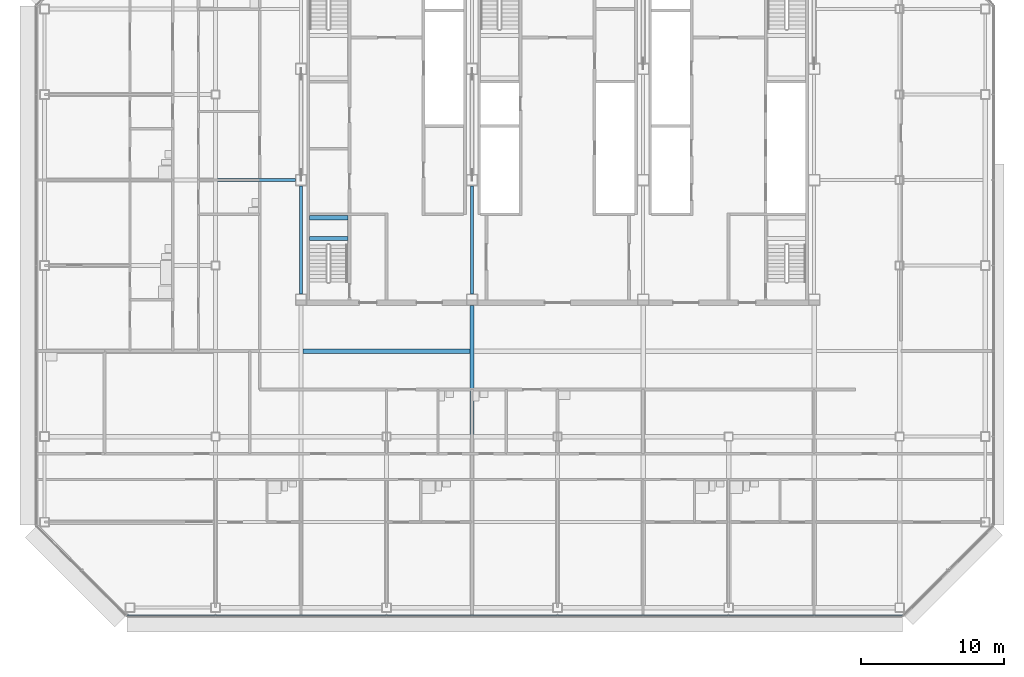
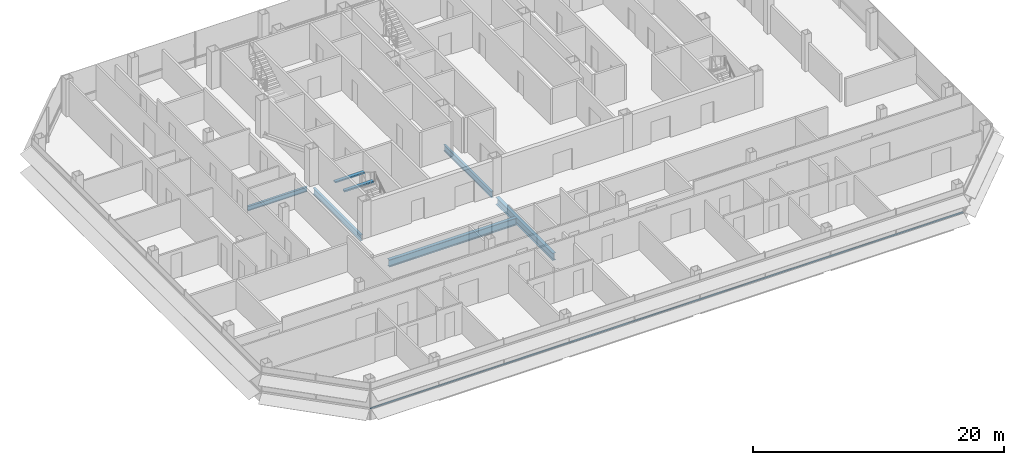
# One storey, part 7 of 27: 7 beams, 1 member, 1 element without a shape of its own.
"""IFC4 building model written with IfcOpenShell, lengths in metres."""

from ifc_helpers import new_model, si_unit, direction, frame, origin, origin_2d, place, context, subcontext, project, spatial, rectangle, i_section, extrude, material, material_profile, profile_set, type_object, element, aggregate, save


model = new_model("IFC4")

# Units and contexts
model_context = context("Model", 3, precision=1e-05, world=origin(), true_north=direction((0.0, 1.0)))
body_context = subcontext(model_context, "Body", "Model", "MODEL_VIEW")
ifc_project = project(units=[si_unit("LENGTHUNIT", "METRE"), si_unit("AREAUNIT", "SQUARE_METRE"), si_unit("VOLUMEUNIT", "CUBIC_METRE"), si_unit("PLANEANGLEUNIT", "RADIAN"), si_unit("MASSUNIT", "GRAM", prefix="KILO")], contexts=[model_context])

# Site, building, storey
site_placement = place(None, origin())
site = spatial("IfcSite", under=ifc_project, at=site_placement, CompositionType="ELEMENT")
building_placement = place(site_placement, origin())
building = spatial("IfcBuilding", under=site, at=building_placement, Name="Sorahane Residences", CompositionType="ELEMENT")
storey_placement = place(building_placement, frame((0.0, 0.0, 202.800048828125)))
storey = spatial("IfcBuildingStorey", under=building, at=storey_placement, Name="L47", CompositionType="ELEMENT", Elevation=202.800048828125)

# Curtain wall, member
ifc_material_1 = material(Name="Dark low-e glass and black anodised aluminium", Category="aluminium")
curtain_wall_type = type_object("IfcCurtainWallType", Name="Curtain wall CW-1 Typical unitised wall", PredefinedType="NOTDEFINED", material=ifc_material_1)
curtain_wall_placement = place(storey_placement, origin())
curtain_wall = element("IfcCurtainWall", 1, at=curtain_wall_placement, inside=storey, type_object=curtain_wall_type, Name="CW-1 curtain wall L47 S1", PredefinedType="NOTDEFINED")
ifc_material_2 = material(Name="Black anodised aluminium", Category="aluminium")
ifc_material_profile_1 = material_profile(ifc_material_2, rectangle(XDim=0.10009765625, YDim=0.06005859375, at=origin_2d()), Name="Curtain wall transom CW-1 black anodised aluminium 60x100")
ifc_profile_set_1 = profile_set([ifc_material_profile_1], Name="Black anodised aluminium")
member_type = type_object("IfcMemberType", Name="Curtain wall transom CW-1 black anodised aluminium 60x100", PredefinedType="USERDEFINED", material=ifc_profile_set_1)
member_placement = place(storey_placement, frame((-6.198486328125, -0.530029296875, 0.89990234375), z_axis=(1.0, 0.0, 0.0), x_axis=(0.0, 1.0, 0.0)))
member = element("IfcMember", 2, at=member_placement, type_object=member_type, Name="CW-1 transom L47 S1", ObjectType="TRANSOM", PredefinedType="USERDEFINED", context=body_context, shape_type="SweptSolid", body=[
    extrude(rectangle(XDim=0.10009765625, YDim=0.06005859375, at=origin_2d()), origin(), (0.0, 0.0, 1.0), 54.39697265625),
])
aggregate(curtain_wall, [member])

# Beams
ifc_material_3 = material(Name="Concrete C40", Category="concrete")
ifc_material_profile_2 = material_profile(ifc_material_3, rectangle(XDim=0.300048828125, YDim=0.139892578125, at=origin_2d()), Name="300x140")
ifc_profile_set_2 = profile_set([ifc_material_profile_2], Name="Concrete C40")
beam_type_1 = type_object("IfcBeamType", Name="RC landing beam 300 x 140 Concrete C40", PredefinedType="BEAM", material=ifc_profile_set_2)
for number, where, z_axis, x_axis, name in (
    (3, (6.60009765625, 25.89990234375, 1.530029296875), (1.0, 0.0, 0.0), (0.0, 1.0, 0.0), "Landing beam"),
    (4, (6.60009765625, 27.35009765625, 1.530029296875), (1.0, 0.0, 0.0), (0.0, 1.0, 0.0), "Landing beam"),
):
    element("IfcBeam", number, at=place(storey_placement, frame(where, z_axis=z_axis, x_axis=x_axis)), inside=storey, type_object=beam_type_1, Name=name, PredefinedType="BEAM", context=body_context, shape_type="SweptSolid", body=[
        extrude(rectangle(XDim=0.300048828125, YDim=0.139892578125, at=origin_2d()), origin(), (0.0, 0.0, 1.0), 2.699951171875),
    ])
ifc_material_4 = material(Name="Steel Q355B", Category="steel")
ifc_material_profile_3 = material_profile(ifc_material_4, i_section(OverallWidth=0.199951171875, OverallDepth=0.449951171875, WebThickness=0.009033203125, FlangeThickness=0.013916015625, FilletRadius=0.02001953125, at=origin_2d()), Name="HN 450x200x9x14")
ifc_profile_set_3 = profile_set([ifc_material_profile_3], Name="Steel Q355B")
beam_type_2 = type_object("IfcBeamType", Name="Steel floor beam HN 450x200x9x14 Q355B", PredefinedType="BEAM", material=ifc_profile_set_3)
beam_1_placement = place(storey_placement, frame((0.14990234375, 30.0, -0.405029296875), z_axis=(1.0, 0.0, 0.0), x_axis=(0.0, 1.0, 0.0)))
element("IfcBeam", 5, at=beam_1_placement, inside=storey, type_object=beam_type_2, Name="Beam L47 086", PredefinedType="BEAM", context=body_context, shape_type="SweptSolid", body=[
    extrude(i_section(OverallWidth=0.199951171875, OverallDepth=0.449951171875, WebThickness=0.009033203125, FlangeThickness=0.013916015625, FilletRadius=0.02001953125, at=origin_2d()), origin(), (0.0, 0.0, 1.0), 5.4501953125),
])
ifc_material_5 = material(Name="Steel Q355B", Category="steel")
ifc_material_profile_4 = material_profile(ifc_material_5, i_section(OverallWidth=0.199951171875, OverallDepth=0.60009765625, WebThickness=0.010986328125, FlangeThickness=0.01708984375, FilletRadius=0.02392578125, at=origin_2d()), Name="HN 600x200x11x17")
ifc_profile_set_4 = profile_set([ifc_material_profile_4], Name="Steel Q355B")
beam_type_3 = type_object("IfcBeamType", Name="Steel floor beam HN 600x200x11x17 Q355B", PredefinedType="BEAM", material=ifc_profile_set_4)
for number, where, z_axis, x_axis, name in (
    (6, (6.0, 22.0, -0.47998046875), (0.0, 1.0, 0.0), (-1.0, 0.0, 0.0), "Beam L47 030"),
    (7, (18.0, 22.0, -0.47998046875), (0.0, 1.0, 0.0), (-1.0, 0.0, 0.0), "Beam L47 038"),
):
    element("IfcBeam", number, at=place(storey_placement, frame(where, z_axis=z_axis, x_axis=x_axis)), inside=storey, type_object=beam_type_3, Name=name, PredefinedType="BEAM", context=body_context, shape_type="SweptSolid", body=[
        extrude(i_section(OverallWidth=0.199951171875, OverallDepth=0.60009765625, WebThickness=0.010986328125, FlangeThickness=0.01708984375, FilletRadius=0.02392578125, at=origin_2d()), origin(), (0.0, 0.0, 1.0), 7.60009765625),
    ])
ifc_material_6 = material(Name="Steel Q355B", Category="steel")
ifc_material_profile_5 = material_profile(ifc_material_6, i_section(OverallWidth=0.300048828125, OverallDepth=0.699951171875, WebThickness=0.012939453125, FlangeThickness=0.02392578125, FilletRadius=0.028076171875, at=origin_2d()), Name="HN 700x300x13x24")
ifc_profile_set_5 = profile_set([ifc_material_profile_5], Name="Steel Q355B")
beam_type_4 = type_object("IfcBeamType", Name="Steel floor beam HN 700x300x13x24 Q355B", PredefinedType="BEAM", material=ifc_profile_set_5)
beam_2_placement = place(storey_placement, frame((18.0, 12.14990234375, -0.530029296875), z_axis=(0.0, 1.0, 0.0), x_axis=(-1.0, 0.0, 0.0)))
element("IfcBeam", 8, at=beam_2_placement, inside=storey, type_object=beam_type_4, Name="Beam L47 037", PredefinedType="BEAM", context=body_context, shape_type="SweptSolid", body=[
    extrude(i_section(OverallWidth=0.300048828125, OverallDepth=0.699951171875, WebThickness=0.012939453125, FlangeThickness=0.02392578125, FilletRadius=0.028076171875, at=origin_2d()), origin(), (0.0, 0.0, 1.0), 9.050048828125),
])
beam_3_placement = place(storey_placement, frame((6.14990234375, 18.0, -0.530029296875), z_axis=(1.0, 0.0, 0.0), x_axis=(0.0, 1.0, 0.0)))
element("IfcBeam", 9, at=beam_3_placement, inside=storey, type_object=beam_type_4, Name="Beam L47 080", PredefinedType="BEAM", context=body_context, shape_type="SweptSolid", body=[
    extrude(i_section(OverallWidth=0.300048828125, OverallDepth=0.699951171875, WebThickness=0.012939453125, FlangeThickness=0.02392578125, FilletRadius=0.028076171875, at=origin_2d()), origin(), (0.0, 0.0, 1.0), 11.7001953125),
])

save(model, "model.ifc")
